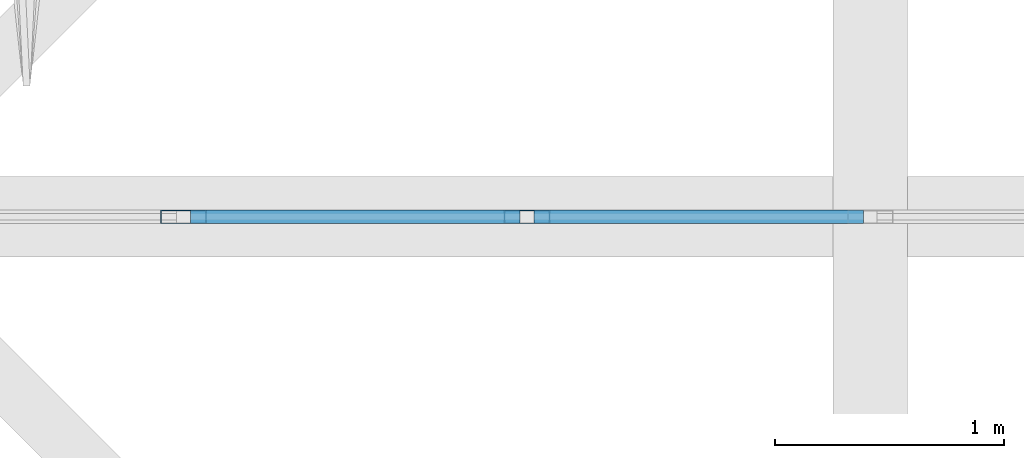
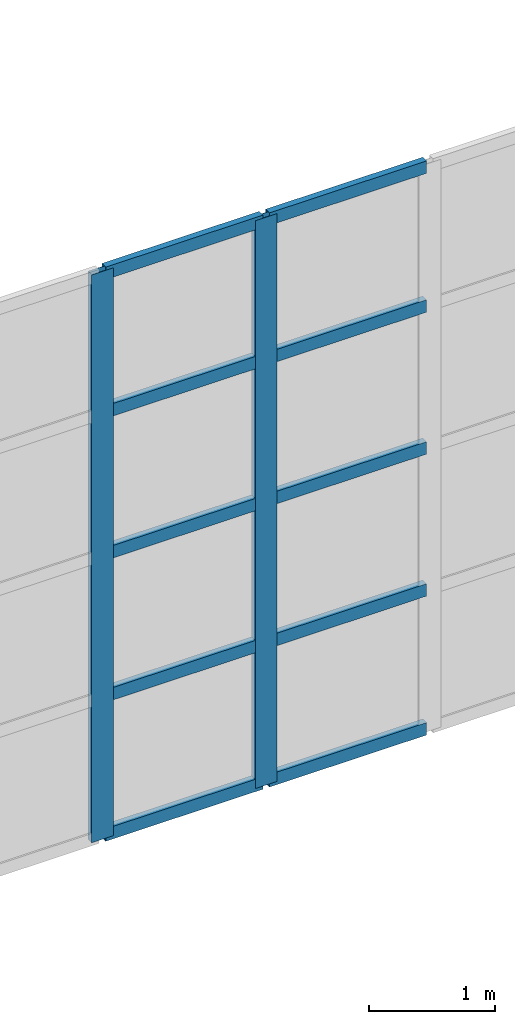
# One storey, part 155 of 437: 12 members, 1 element without a shape of its own.
"""IFC4 building model written with IfcOpenShell, lengths in metres."""

from ifc_helpers import new_model, si_unit, direction, frame, origin, origin_2d, place, context, subcontext, project, spatial, hollow_rectangle, extrude, material, layer, layer_set, material_profile, profile_set, type_object, element, aggregate, save


model = new_model("IFC4")

# Units and contexts
model_context = context("Model", 3, precision=1e-05, world=origin(), true_north=direction((0.0, 1.0)))
body_context = subcontext(model_context, "Body", "Model", "MODEL_VIEW")
ifc_project = project(units=[si_unit("LENGTHUNIT", "METRE"), si_unit("AREAUNIT", "SQUARE_METRE"), si_unit("VOLUMEUNIT", "CUBIC_METRE"), si_unit("PLANEANGLEUNIT", "RADIAN"), si_unit("MASSUNIT", "GRAM", prefix="KILO")], contexts=[model_context])

# Site, building, storey
site_placement = place(None, origin())
site = spatial("IfcSite", under=ifc_project, at=site_placement, CompositionType="ELEMENT")
building_placement = place(site_placement, origin())
building = spatial("IfcBuilding", under=site, at=building_placement, Name="Opaline Strait Convention Centre", CompositionType="ELEMENT")
storey_placement = place(building_placement, frame((0.0, 0.0, 11.5)))
storey = spatial("IfcBuildingStorey", under=building, at=storey_placement, Name="L02", CompositionType="ELEMENT", Elevation=11.5)

# Curtain wall, members
ifc_material_1 = material(Name="Aluminium framed glazing", Category="aluminium")
ifc_layer = layer(ifc_material_1, 0.199951171875)
ifc_layer_set = layer_set([ifc_layer], Name="Aluminium framed glazing")
curtain_wall_type = type_object("IfcCurtainWallType", Name="Entrance curtain wall 1500", PredefinedType="NOTDEFINED", material=ifc_layer_set)
curtain_wall_placement = place(storey_placement, origin())
curtain_wall = element("IfcCurtainWall", 1, at=curtain_wall_placement, inside=storey, type_object=curtain_wall_type, Name="Entrance curtain wall L02-R1", PredefinedType="NOTDEFINED")
ifc_material_2 = material(Name="Aluminium alloy 6063", Category="aluminium")
ifc_material_profile_1 = material_profile(ifc_material_2, hollow_rectangle(XDim=0.06005859375, YDim=0.199951171875, WallThickness=0.00390625, at=origin_2d()), Name="MULLION 60x200x4")
ifc_profile_set_1 = profile_set([ifc_material_profile_1], Name="Aluminium alloy 6063")
member_type_1 = type_object("IfcMemberType", Name="Curtain wall mullion 60 x 200", PredefinedType="MULLION", material=ifc_profile_set_1)
member_1_placement = place(storey_placement, frame((154.5, 144.0, 0.0), z_axis=(0.0, 0.0, 1.0), x_axis=(0.0, 1.0, 0.0)))
member_1 = element("IfcMember", 2, at=member_1_placement, type_object=member_type_1, Name="XCW mullion 2", PredefinedType="MULLION", context=body_context, shape_type="SweptSolid", body=[
    extrude(hollow_rectangle(XDim=0.06005859375, YDim=0.199951171875, WallThickness=0.00390625, at=origin_2d()), origin(), (0.0, 0.0, 1.0), 5.5),
])
member_2_placement = place(storey_placement, frame((156.0, 144.0, 0.0), z_axis=(0.0, 0.0, 1.0), x_axis=(0.0, 1.0, 0.0)))
member_2 = element("IfcMember", 3, at=member_2_placement, type_object=member_type_1, Name="XCW mullion 3", PredefinedType="MULLION", context=body_context, shape_type="SweptSolid", body=[
    extrude(hollow_rectangle(XDim=0.06005859375, YDim=0.199951171875, WallThickness=0.00390625, at=origin_2d()), origin(), (0.0, 0.0, 1.0), 5.5),
])
ifc_material_profile_2 = material_profile(ifc_material_2, hollow_rectangle(XDim=0.06005859375, YDim=0.1201171875, WallThickness=0.0029296875, at=origin_2d()), Name="TRANSOM 60x120x3")
ifc_profile_set_2 = profile_set([ifc_material_profile_2], Name="Aluminium alloy 6063")
member_type_2 = type_object("IfcMemberType", Name="Curtain wall transom 60 x 120", PredefinedType="USERDEFINED", material=ifc_profile_set_2)
member_3_placement = place(storey_placement, frame((154.530029296875, 144.0, 0.030029296875), z_axis=(1.0, 0.0, 0.0), x_axis=(0.0, 1.0, 0.0)))
member_3 = element("IfcMember", 4, at=member_3_placement, type_object=member_type_2, Name="XCW transom 2.1", ObjectType="TRANSOM", PredefinedType="USERDEFINED", context=body_context, shape_type="SweptSolid", body=[
    extrude(hollow_rectangle(XDim=0.06005859375, YDim=0.1201171875, WallThickness=0.0029296875, at=origin_2d()), origin(), (0.0, 0.0, 1.0), 1.43994140625),
])
member_4_placement = place(storey_placement, frame((154.530029296875, 144.0, 1.375), z_axis=(1.0, 0.0, 0.0), x_axis=(0.0, 1.0, 0.0)))
member_4 = element("IfcMember", 5, at=member_4_placement, type_object=member_type_2, Name="XCW transom 2.2", ObjectType="TRANSOM", PredefinedType="USERDEFINED", context=body_context, shape_type="SweptSolid", body=[
    extrude(hollow_rectangle(XDim=0.06005859375, YDim=0.1201171875, WallThickness=0.0029296875, at=origin_2d()), origin(), (0.0, 0.0, 1.0), 1.43994140625),
])
member_5_placement = place(storey_placement, frame((154.530029296875, 144.0, 2.75), z_axis=(1.0, 0.0, 0.0), x_axis=(0.0, 1.0, 0.0)))
member_5 = element("IfcMember", 6, at=member_5_placement, type_object=member_type_2, Name="XCW transom 2.3", ObjectType="TRANSOM", PredefinedType="USERDEFINED", context=body_context, shape_type="SweptSolid", body=[
    extrude(hollow_rectangle(XDim=0.06005859375, YDim=0.1201171875, WallThickness=0.0029296875, at=origin_2d()), origin(), (0.0, 0.0, 1.0), 1.43994140625),
])
member_6_placement = place(storey_placement, frame((154.530029296875, 144.0, 4.125), z_axis=(1.0, 0.0, 0.0), x_axis=(0.0, 1.0, 0.0)))
member_6 = element("IfcMember", 7, at=member_6_placement, type_object=member_type_2, Name="XCW transom 2.4", ObjectType="TRANSOM", PredefinedType="USERDEFINED", context=body_context, shape_type="SweptSolid", body=[
    extrude(hollow_rectangle(XDim=0.06005859375, YDim=0.1201171875, WallThickness=0.0029296875, at=origin_2d()), origin(), (0.0, 0.0, 1.0), 1.43994140625),
])
member_7_placement = place(storey_placement, frame((154.530029296875, 144.0, 5.469970703125), z_axis=(1.0, 0.0, 0.0), x_axis=(0.0, 1.0, 0.0)))
member_7 = element("IfcMember", 8, at=member_7_placement, type_object=member_type_2, Name="XCW transom 2.5", ObjectType="TRANSOM", PredefinedType="USERDEFINED", context=body_context, shape_type="SweptSolid", body=[
    extrude(hollow_rectangle(XDim=0.06005859375, YDim=0.1201171875, WallThickness=0.0029296875, at=origin_2d()), origin(), (0.0, 0.0, 1.0), 1.43994140625),
])
member_8_placement = place(storey_placement, frame((156.030029296875, 144.0, 0.030029296875), z_axis=(1.0, 0.0, 0.0), x_axis=(0.0, 1.0, 0.0)))
member_8 = element("IfcMember", 9, at=member_8_placement, type_object=member_type_2, Name="XCW transom 3.1", ObjectType="TRANSOM", PredefinedType="USERDEFINED", context=body_context, shape_type="SweptSolid", body=[
    extrude(hollow_rectangle(XDim=0.06005859375, YDim=0.1201171875, WallThickness=0.0029296875, at=origin_2d()), origin(), (0.0, 0.0, 1.0), 1.43994140625),
])
member_9_placement = place(storey_placement, frame((156.030029296875, 144.0, 1.375), z_axis=(1.0, 0.0, 0.0), x_axis=(0.0, 1.0, 0.0)))
member_9 = element("IfcMember", 10, at=member_9_placement, type_object=member_type_2, Name="XCW transom 3.2", ObjectType="TRANSOM", PredefinedType="USERDEFINED", context=body_context, shape_type="SweptSolid", body=[
    extrude(hollow_rectangle(XDim=0.06005859375, YDim=0.1201171875, WallThickness=0.0029296875, at=origin_2d()), origin(), (0.0, 0.0, 1.0), 1.43994140625),
])
member_10_placement = place(storey_placement, frame((156.030029296875, 144.0, 2.75), z_axis=(1.0, 0.0, 0.0), x_axis=(0.0, 1.0, 0.0)))
member_10 = element("IfcMember", 11, at=member_10_placement, type_object=member_type_2, Name="XCW transom 3.3", ObjectType="TRANSOM", PredefinedType="USERDEFINED", context=body_context, shape_type="SweptSolid", body=[
    extrude(hollow_rectangle(XDim=0.06005859375, YDim=0.1201171875, WallThickness=0.0029296875, at=origin_2d()), origin(), (0.0, 0.0, 1.0), 1.43994140625),
])
member_11_placement = place(storey_placement, frame((156.030029296875, 144.0, 4.125), z_axis=(1.0, 0.0, 0.0), x_axis=(0.0, 1.0, 0.0)))
member_11 = element("IfcMember", 12, at=member_11_placement, type_object=member_type_2, Name="XCW transom 3.4", ObjectType="TRANSOM", PredefinedType="USERDEFINED", context=body_context, shape_type="SweptSolid", body=[
    extrude(hollow_rectangle(XDim=0.06005859375, YDim=0.1201171875, WallThickness=0.0029296875, at=origin_2d()), origin(), (0.0, 0.0, 1.0), 1.43994140625),
])
member_12_placement = place(storey_placement, frame((156.030029296875, 144.0, 5.469970703125), z_axis=(1.0, 0.0, 0.0), x_axis=(0.0, 1.0, 0.0)))
member_12 = element("IfcMember", 13, at=member_12_placement, type_object=member_type_2, Name="XCW transom 3.5", ObjectType="TRANSOM", PredefinedType="USERDEFINED", context=body_context, shape_type="SweptSolid", body=[
    extrude(hollow_rectangle(XDim=0.06005859375, YDim=0.1201171875, WallThickness=0.0029296875, at=origin_2d()), origin(), (0.0, 0.0, 1.0), 1.43994140625),
])
aggregate(curtain_wall, [member_1, member_2, member_3, member_4, member_5, member_6, member_7, member_8, member_9, member_10, member_11, member_12])

save(model, "model.ifc")
